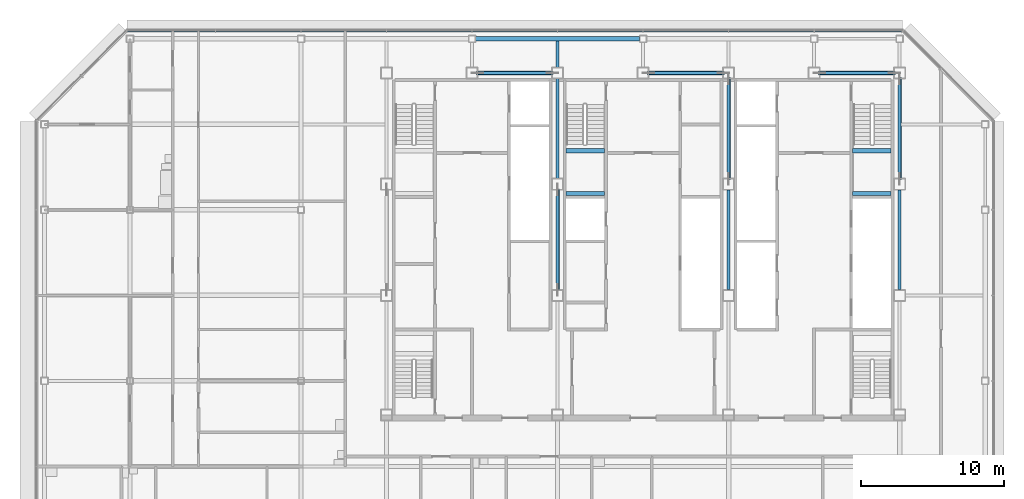
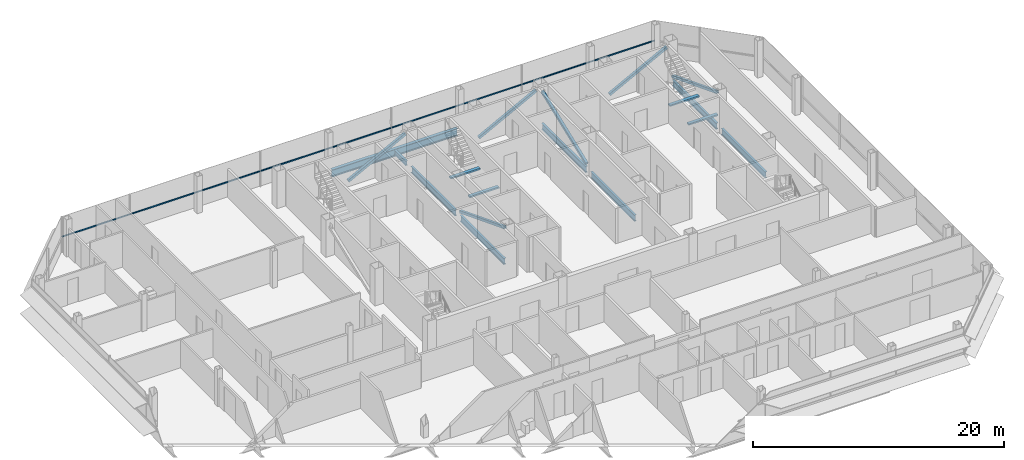
# One storey, part 15 of 28: 12 beams, 7 members, 1 element without a shape of its own.
"""IFC4 building model written with IfcOpenShell, lengths in metres."""

from ifc_helpers import new_model, si_unit, direction, frame, origin, origin_2d, place, context, subcontext, project, spatial, rectangle, hollow_rectangle, i_section, extrude, material, material_profile, profile_set, type_object, element, aggregate, save


model = new_model("IFC4")

# Units and contexts
model_context = context("Model", 3, precision=1e-05, world=origin(), true_north=direction((0.0, 1.0)))
body_context = subcontext(model_context, "Body", "Model", "MODEL_VIEW")
ifc_project = project(units=[si_unit("LENGTHUNIT", "METRE"), si_unit("AREAUNIT", "SQUARE_METRE"), si_unit("VOLUMEUNIT", "CUBIC_METRE"), si_unit("PLANEANGLEUNIT", "RADIAN"), si_unit("MASSUNIT", "GRAM", prefix="KILO")], contexts=[model_context])

# Site, building, storey
site_placement = place(None, origin())
site = spatial("IfcSite", under=ifc_project, at=site_placement, CompositionType="ELEMENT")
building_placement = place(site_placement, origin())
building = spatial("IfcBuilding", under=site, at=building_placement, Name="Sorahane Residences", CompositionType="ELEMENT")
storey_placement = place(building_placement, frame((0.0, 0.0, 305.199951171875)))
storey = spatial("IfcBuildingStorey", under=building, at=storey_placement, Name="L72", CompositionType="ELEMENT", Elevation=305.199951171875)

# Members
ifc_material_1 = material(Name="Steel Q355B", Category="steel")
ifc_material_profile_1 = material_profile(ifc_material_1, hollow_rectangle(XDim=0.25, YDim=0.25, WallThickness=0.011962890625, InnerFilletRadius=0.006103515625, OuterFilletRadius=0.01806640625, at=origin_2d()), Name="RHS 250x250x12")
ifc_profile_set_1 = profile_set([ifc_material_profile_1], Name="Steel Q355B")
member_type_1 = type_object("IfcMemberType", Name="Core brace RHS 250x250x12 Q355B", PredefinedType="BRACE", material=ifc_profile_set_1)
for number, where, z_axis, x_axis, name in (
    (1, (12.365234375, 45.60009765625, 0.10693359375), (0.886099769192, 0.0, 0.46349455125), (0.0, 1.0, 0.0), "Core brace L72 y45.6-2"),
    (2, (24.365234375, 45.60009765625, 0.10693359375), (0.886099769192, 0.0, 0.46349455125), (0.0, 1.0, 0.0), "Core brace L72 y45.6-4"),
    (3, (36.365234375, 45.60009765625, 0.10693359375), (0.886099769192, 0.0, 0.46349455125), (0.0, 1.0, 0.0), "Core brace L72 y45.6-6"),
):
    element("IfcMember", number, at=place(storey_placement, frame(where, z_axis=z_axis, x_axis=x_axis)), inside=storey, type_object=member_type_1, Name=name, PredefinedType="BRACE", context=body_context, shape_type="SweptSolid", body=[
        extrude(hollow_rectangle(XDim=0.25, YDim=0.25, WallThickness=0.011962890625, InnerFilletRadius=0.006103515625, OuterFilletRadius=0.01806640625, at=origin_2d()), origin(), (0.0, 0.0, 1.0), 5.94677734375),
    ])
member_1_placement = place(storey_placement, frame((42.0, 45.22705078125, 0.114501953125), z_axis=(0.0, -0.932097872445, 0.362206510411), x_axis=(1.0, 0.0, 0.0)))
element("IfcMember", 4, at=member_1_placement, inside=storey, type_object=member_type_1, Name="Core brace L72 x42-3", PredefinedType="BRACE", context=body_context, shape_type="SweptSolid", body=[
    extrude(hollow_rectangle(XDim=0.25, YDim=0.25, WallThickness=0.011962890625, InnerFilletRadius=0.006103515625, OuterFilletRadius=0.01806640625, at=origin_2d()), origin(), (0.0, 0.0, 1.0), 7.568115234375),
])
member_2_placement = place(storey_placement, frame((18.0, 37.42724609375, 0.114501953125), z_axis=(0.0, -0.932102104456, 0.362195619617), x_axis=(1.0, 0.0, 0.0)))
element("IfcMember", 5, at=member_2_placement, inside=storey, type_object=member_type_1, Name="Core brace L72 x18-1", PredefinedType="BRACE", context=body_context, shape_type="SweptSolid", body=[
    extrude(hollow_rectangle(XDim=0.25, YDim=0.25, WallThickness=0.011962890625, InnerFilletRadius=0.006103515625, OuterFilletRadius=0.01806640625, at=origin_2d()), origin(), (0.0, 0.0, 1.0), 7.568359375),
])
member_3_placement = place(storey_placement, frame((30.0, 38.1728515625, 0.114501953125), z_axis=(0.0, 0.932097872445, 0.362206510411), x_axis=(-1.0, 0.0, 0.0)))
element("IfcMember", 6, at=member_3_placement, inside=storey, type_object=member_type_1, Name="Core brace L72 x30-2", PredefinedType="BRACE", context=body_context, shape_type="SweptSolid", body=[
    extrude(hollow_rectangle(XDim=0.25, YDim=0.25, WallThickness=0.011962890625, InnerFilletRadius=0.006103515625, OuterFilletRadius=0.01806640625, at=origin_2d()), origin(), (0.0, 0.0, 1.0), 7.568115234375),
])

# Curtain wall, member
ifc_material_2 = material(Name="Dark low-e glass and black anodised aluminium", Category="aluminium")
curtain_wall_type = type_object("IfcCurtainWallType", Name="Curtain wall CW-1 Typical unitised wall", PredefinedType="NOTDEFINED", material=ifc_material_2)
curtain_wall_placement = place(storey_placement, origin())
curtain_wall = element("IfcCurtainWall", 7, at=curtain_wall_placement, inside=storey, type_object=curtain_wall_type, Name="CW-1 curtain wall L72 N1", PredefinedType="NOTDEFINED")
ifc_material_3 = material(Name="Black anodised aluminium", Category="aluminium")
ifc_material_profile_2 = material_profile(ifc_material_3, rectangle(XDim=0.10009765625, YDim=0.06005859375, at=origin_2d()), Name="Curtain wall transom CW-1 black anodised aluminium 60x100")
ifc_profile_set_2 = profile_set([ifc_material_profile_2], Name="Black anodised aluminium")
member_type_2 = type_object("IfcMemberType", Name="Curtain wall transom CW-1 black anodised aluminium 60x100", PredefinedType="USERDEFINED", material=ifc_profile_set_2)
member_4_placement = place(storey_placement, frame((42.198486328125, 48.530029296875, 1.5), z_axis=(-1.0, 0.0, 0.0), x_axis=(0.0, -1.0, 0.0)))
member_4 = element("IfcMember", 8, at=member_4_placement, type_object=member_type_2, Name="CW-1 transom L72 N1", ObjectType="TRANSOM", PredefinedType="USERDEFINED", context=body_context, shape_type="SweptSolid", body=[
    extrude(rectangle(XDim=0.10009765625, YDim=0.06005859375, at=origin_2d()), origin(), (0.0, 0.0, 1.0), 54.39697265625),
])
aggregate(curtain_wall, [member_4])

# Beams
ifc_material_4 = material(Name="Concrete C40", Category="concrete")
ifc_material_profile_3 = material_profile(ifc_material_4, rectangle(XDim=0.300048828125, YDim=0.139892578125, at=origin_2d()), Name="300x140")
ifc_profile_set_3 = profile_set([ifc_material_profile_3], Name="Concrete C40")
beam_type_1 = type_object("IfcBeamType", Name="RC landing beam 300 x 140 Concrete C40", PredefinedType="BEAM", material=ifc_profile_set_3)
for number, where, z_axis, x_axis, name in (
    (9, (38.699951171875, 37.14990234375, 1.530029296875), (1.0, 0.0, 0.0), (0.0, 1.0, 0.0), "Landing beam"),
    (10, (38.699951171875, 40.14990234375, 1.530029296875), (1.0, 0.0, 0.0), (0.0, 1.0, 0.0), "Landing beam"),
    (11, (18.60009765625, 37.14990234375, 1.530029296875), (1.0, 0.0, 0.0), (0.0, 1.0, 0.0), "Landing beam"),
    (12, (18.60009765625, 40.14990234375, 1.530029296875), (1.0, 0.0, 0.0), (0.0, 1.0, 0.0), "Landing beam"),
):
    element("IfcBeam", number, at=place(storey_placement, frame(where, z_axis=z_axis, x_axis=x_axis)), inside=storey, type_object=beam_type_1, Name=name, PredefinedType="BEAM", context=body_context, shape_type="SweptSolid", body=[
        extrude(rectangle(XDim=0.300048828125, YDim=0.139892578125, at=origin_2d()), origin(), (0.0, 0.0, 1.0), 2.699951171875),
    ])
ifc_material_5 = material(Name="Steel Q355B", Category="steel")
ifc_material_profile_4 = material_profile(ifc_material_5, i_section(OverallWidth=0.199951171875, OverallDepth=0.449951171875, WebThickness=0.009033203125, FlangeThickness=0.013916015625, FilletRadius=0.02001953125, at=origin_2d()), Name="HN 450x200x9x14")
ifc_profile_set_4 = profile_set([ifc_material_profile_4], Name="Steel Q355B")
beam_type_2 = type_object("IfcBeamType", Name="Steel floor beam HN 450x200x9x14 Q355B", PredefinedType="BEAM", material=ifc_profile_set_4)
beam_1_placement = place(storey_placement, frame((18.0, 46.0, -0.405029296875), z_axis=(0.0, 1.0, 0.0), x_axis=(-1.0, 0.0, 0.0)))
element("IfcBeam", 13, at=beam_1_placement, inside=storey, type_object=beam_type_2, Name="Beam L72 045", PredefinedType="BEAM", context=body_context, shape_type="SweptSolid", body=[
    extrude(i_section(OverallWidth=0.199951171875, OverallDepth=0.449951171875, WebThickness=0.009033203125, FlangeThickness=0.013916015625, FilletRadius=0.02001953125, at=origin_2d()), origin(), (0.0, 0.0, 1.0), 1.85009765625),
])
ifc_material_6 = material(Name="Steel Q355B", Category="steel")
ifc_material_profile_5 = material_profile(ifc_material_6, i_section(OverallWidth=0.199951171875, OverallDepth=0.60009765625, WebThickness=0.010986328125, FlangeThickness=0.01708984375, FilletRadius=0.02392578125, at=origin_2d()), Name="HN 600x200x11x17")
ifc_profile_set_5 = profile_set([ifc_material_profile_5], Name="Steel Q355B")
beam_type_3 = type_object("IfcBeamType", Name="Steel floor beam HN 600x200x11x17 Q355B", PredefinedType="BEAM", material=ifc_profile_set_5)
for number, where, z_axis, x_axis, name in (
    (14, (18.0, 30.39990234375, -0.47998046875), (0.0, 1.0, 0.0), (-1.0, 0.0, 0.0), "Beam L72 043"),
    (15, (18.0, 38.199951171875, -0.47998046875), (0.0, 1.0, 0.0), (-1.0, 0.0, 0.0), "Beam L72 044"),
    (16, (30.0, 30.39990234375, -0.47998046875), (0.0, 1.0, 0.0), (-1.0, 0.0, 0.0), "Beam L72 051"),
    (17, (30.0, 38.199951171875, -0.47998046875), (0.0, 1.0, 0.0), (-1.0, 0.0, 0.0), "Beam L72 052"),
    (18, (42.0, 30.39990234375, -0.47998046875), (0.0, 1.0, 0.0), (-1.0, 0.0, 0.0), "Beam L72 059"),
    (19, (42.0, 38.199951171875, -0.47998046875), (0.0, 1.0, 0.0), (-1.0, 0.0, 0.0), "Beam L72 060"),
):
    element("IfcBeam", number, at=place(storey_placement, frame(where, z_axis=z_axis, x_axis=x_axis)), inside=storey, type_object=beam_type_3, Name=name, PredefinedType="BEAM", context=body_context, shape_type="SweptSolid", body=[
        extrude(i_section(OverallWidth=0.199951171875, OverallDepth=0.60009765625, WebThickness=0.010986328125, FlangeThickness=0.01708984375, FilletRadius=0.02392578125, at=origin_2d()), origin(), (0.0, 0.0, 1.0), 7.0),
    ])
ifc_material_7 = material(Name="Steel Q355B", Category="steel")
ifc_material_profile_6 = material_profile(ifc_material_7, i_section(OverallWidth=0.300048828125, OverallDepth=0.699951171875, WebThickness=0.012939453125, FlangeThickness=0.02392578125, FilletRadius=0.028076171875, at=origin_2d()), Name="HN 700x300x13x24")
ifc_profile_set_6 = profile_set([ifc_material_profile_6], Name="Steel Q355B")
beam_type_4 = type_object("IfcBeamType", Name="Steel floor beam HN 700x300x13x24 Q355B", PredefinedType="BEAM", material=ifc_profile_set_6)
beam_2_placement = place(storey_placement, frame((12.25, 48.0, -0.530029296875), z_axis=(1.0, 0.0, 0.0), x_axis=(0.0, 1.0, 0.0)))
element("IfcBeam", 20, at=beam_2_placement, inside=storey, type_object=beam_type_4, Name="Beam L72 017", PredefinedType="BEAM", context=body_context, shape_type="SweptSolid", body=[
    extrude(i_section(OverallWidth=0.300048828125, OverallDepth=0.699951171875, WebThickness=0.012939453125, FlangeThickness=0.02392578125, FilletRadius=0.028076171875, at=origin_2d()), origin(), (0.0, 0.0, 1.0), 11.5),
])

save(model, "model.ifc")
